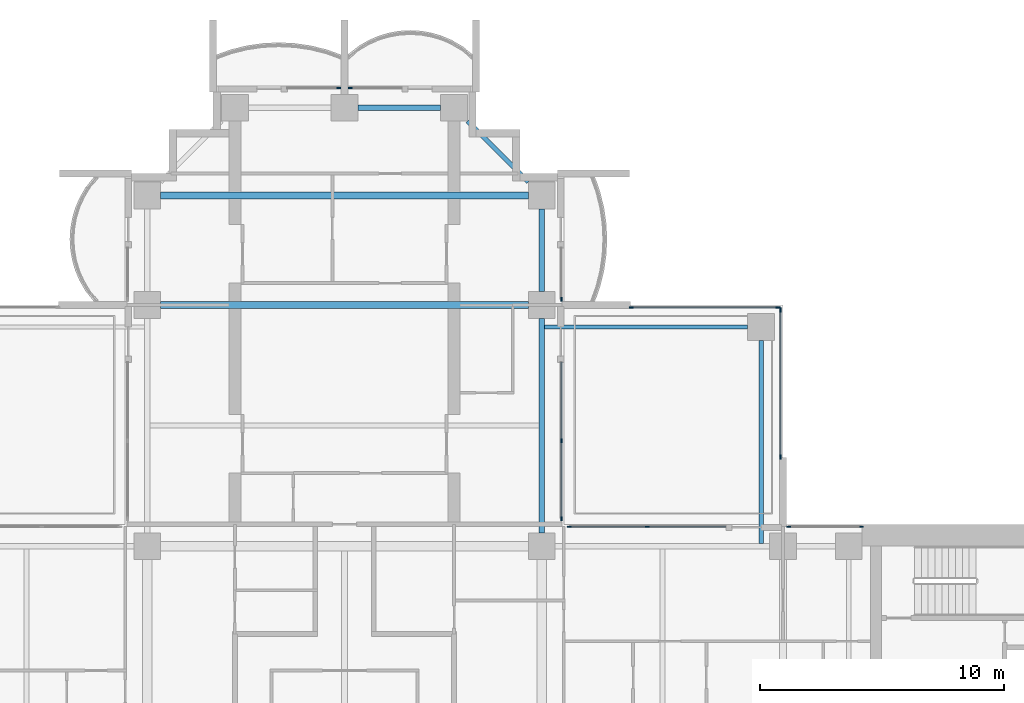
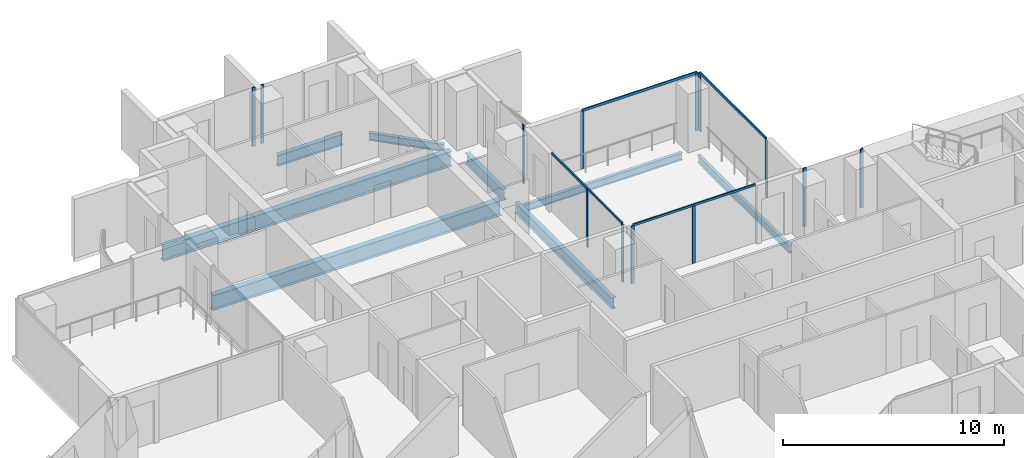
# One storey, part 6 of 18: 17 members, 8 beams, 8 elements without a shape of their own.
"""IFC4 building model written with IfcOpenShell, lengths in metres."""

from ifc_helpers import new_model, si_unit, direction, frame, origin, origin_2d, place, context, subcontext, project, spatial, rectangle, i_section, extrude, material, material_profile, profile_set, type_object, element, aggregate, save


model = new_model("IFC4")

# Units and contexts
model_context = context("Model", 3, precision=1e-05, world=origin(), true_north=direction((0.0, 1.0)))
body_context = subcontext(model_context, "Body", "Model", "MODEL_VIEW")
ifc_project = project(units=[si_unit("LENGTHUNIT", "METRE"), si_unit("AREAUNIT", "SQUARE_METRE"), si_unit("VOLUMEUNIT", "CUBIC_METRE"), si_unit("PLANEANGLEUNIT", "RADIAN"), si_unit("MASSUNIT", "GRAM", prefix="KILO")], contexts=[model_context])

# Site, building, storey
site_placement = place(None, origin())
site = spatial("IfcSite", under=ifc_project, at=site_placement, CompositionType="ELEMENT")
building_placement = place(site_placement, origin())
building = spatial("IfcBuilding", under=site, at=building_placement, Name="Perihelion Cross Residences", CompositionType="ELEMENT")
storey_placement = place(building_placement, frame((0.0, 0.0, 130.39990234375)))
storey = spatial("IfcBuildingStorey", under=building, at=storey_placement, Name="L31", CompositionType="ELEMENT", Elevation=130.39990234375)

# Curtain wall, members
ifc_material_1 = material(Name="Bronze anodised aluminium, tinted glazing", Category="aluminium")
curtain_wall_type_1 = type_object("IfcCurtainWallType", Name="CW1", PredefinedType="NOTDEFINED", material=ifc_material_1)
curtain_wall_1_placement = place(storey_placement, origin())
curtain_wall_1 = element("IfcCurtainWall", 1, at=curtain_wall_1_placement, inside=storey, type_object=curtain_wall_type_1, Name="Curtain wall CW1 L31 east side north bay 1", PredefinedType="NOTDEFINED")
ifc_material_2 = material(Name="Bronze anodised aluminium", Category="aluminium")
ifc_material_profile_1 = material_profile(ifc_material_2, rectangle(XDim=0.06005859375, YDim=0.159912109375, at=origin_2d()), Name="CW1 mullion")
ifc_profile_set_1 = profile_set([ifc_material_profile_1], Name="Bronze anodised aluminium")
member_type_1 = type_object("IfcMemberType", Name="CW1 mullion", PredefinedType="MULLION", material=ifc_profile_set_1)
member_1_placement = place(storey_placement, frame((21.219970703125, 8.89990234375, 0.0), z_axis=(0.0, 0.0, 1.0), x_axis=(0.0, -1.0, 0.0)))
member_1 = element("IfcMember", 2, at=member_1_placement, type_object=member_type_1, Name="CW1 mullion 1", PredefinedType="MULLION", context=body_context, shape_type="SweptSolid", body=[
    extrude(rectangle(XDim=0.06005859375, YDim=0.159912109375, at=origin_2d()), origin(), (0.0, 0.0, 1.0), 3.25),
])
member_2_placement = place(storey_placement, frame((18.22998046875, 8.89990234375, 0.0), z_axis=(0.0, 0.0, 1.0), x_axis=(0.0, -1.0, 0.0)))
member_2 = element("IfcMember", 3, at=member_2_placement, type_object=member_type_1, Name="CW1 mullion 2", PredefinedType="MULLION", context=body_context, shape_type="SweptSolid", body=[
    extrude(rectangle(XDim=0.06005859375, YDim=0.159912109375, at=origin_2d()), origin(), (0.0, 0.0, 1.0), 3.25),
])
aggregate(curtain_wall_1, [member_1, member_2])

curtain_wall_2_placement = place(storey_placement, origin())
curtain_wall_2 = element("IfcCurtainWall", 4, at=curtain_wall_2_placement, inside=storey, type_object=curtain_wall_type_1, Name="Curtain wall CW1 L31 east side north bay 2", PredefinedType="NOTDEFINED")
member_3_placement = place(storey_placement, frame((12.425048828125, 8.89990234375, 0.0), z_axis=(0.0, 0.0, 1.0), x_axis=(0.0, -1.0, 0.0)))
member_3 = element("IfcMember", 5, at=member_3_placement, type_object=member_type_1, Name="CW1 mullion 2", PredefinedType="MULLION", context=body_context, shape_type="SweptSolid", body=[
    extrude(rectangle(XDim=0.06005859375, YDim=0.159912109375, at=origin_2d()), origin(), (0.0, 0.0, 1.0), 3.190185546875),
])
member_4_placement = place(storey_placement, frame((9.22998046875, 8.89990234375, 0.0), z_axis=(0.0, 0.0, 1.0), x_axis=(0.0, -1.0, 0.0)))
member_4 = element("IfcMember", 6, at=member_4_placement, type_object=member_type_1, Name="CW1 mullion 3", PredefinedType="MULLION", context=body_context, shape_type="SweptSolid", body=[
    extrude(rectangle(XDim=0.06005859375, YDim=0.159912109375, at=origin_2d()), origin(), (0.0, 0.0, 1.0), 3.190185546875),
])

curtain_wall_3_placement = place(storey_placement, origin())
curtain_wall_3 = element("IfcCurtainWall", 7, at=curtain_wall_3_placement, inside=storey, type_object=curtain_wall_type_1, Name="Curtain wall CW1 L31 north side east bay 1", PredefinedType="NOTDEFINED")
member_5_placement = place(storey_placement, frame((8.89990234375, 9.22998046875, 0.0), z_axis=(0.0, 0.0, 1.0), x_axis=(-1.0, 0.0, 0.0)))
member_5 = element("IfcMember", 8, at=member_5_placement, type_object=member_type_1, Name="CW1 mullion 1", PredefinedType="MULLION", context=body_context, shape_type="SweptSolid", body=[
    extrude(rectangle(XDim=0.06005859375, YDim=0.159912109375, at=origin_2d()), origin(), (0.0, 0.0, 1.0), 3.190185546875),
])
member_6_placement = place(storey_placement, frame((8.89990234375, 12.425048828125, 0.0), z_axis=(0.0, 0.0, 1.0), x_axis=(-1.0, 0.0, 0.0)))
member_6 = element("IfcMember", 9, at=member_6_placement, type_object=member_type_1, Name="CW1 mullion 2", PredefinedType="MULLION", context=body_context, shape_type="SweptSolid", body=[
    extrude(rectangle(XDim=0.06005859375, YDim=0.159912109375, at=origin_2d()), origin(), (0.0, 0.0, 1.0), 3.190185546875),
])

# Curtain wall, member
curtain_wall_4_placement = place(storey_placement, origin())
curtain_wall_4 = element("IfcCurtainWall", 10, at=curtain_wall_4_placement, inside=storey, type_object=curtain_wall_type_1, Name="Curtain wall CW1 L31 north side east bay 2", PredefinedType="NOTDEFINED")
member_7_placement = place(storey_placement, frame((8.89990234375, 18.22998046875, 0.0), z_axis=(0.0, 0.0, 1.0), x_axis=(-1.0, 0.0, 0.0)))
member_7 = element("IfcMember", 11, at=member_7_placement, type_object=member_type_1, Name="CW1 mullion 1", PredefinedType="MULLION", context=body_context, shape_type="SweptSolid", body=[
    extrude(rectangle(XDim=0.06005859375, YDim=0.159912109375, at=origin_2d()), origin(), (0.0, 0.0, 1.0), 3.25),
])
aggregate(curtain_wall_4, [member_7])

curtain_wall_5_placement = place(storey_placement, origin())
curtain_wall_5 = element("IfcCurtainWall", 12, at=curtain_wall_5_placement, inside=storey, type_object=curtain_wall_type_1, Name="Curtain wall CW1 L31 north tip north bay 1", PredefinedType="NOTDEFINED")
member_8_placement = place(storey_placement, frame((0.22998046875, 26.89990234375, 0.0), z_axis=(0.0, 0.0, 1.0), x_axis=(0.0, -1.0, 0.0)))
member_8 = element("IfcMember", 13, at=member_8_placement, type_object=member_type_1, Name="CW1 mullion 2", PredefinedType="MULLION", context=body_context, shape_type="SweptSolid", body=[
    extrude(rectangle(XDim=0.06005859375, YDim=0.159912109375, at=origin_2d()), origin(), (0.0, 0.0, 1.0), 3.25),
])
aggregate(curtain_wall_5, [member_8])

curtain_wall_6_placement = place(storey_placement, origin())
curtain_wall_6 = element("IfcCurtainWall", 14, at=curtain_wall_6_placement, inside=storey, type_object=curtain_wall_type_1, Name="Curtain wall CW1 L31 north tip north bay 2", PredefinedType="NOTDEFINED")
member_9_placement = place(storey_placement, frame((-0.22998046875, 26.89990234375, 0.0), z_axis=(0.0, 0.0, 1.0), x_axis=(0.0, -1.0, 0.0)))
member_9 = element("IfcMember", 15, at=member_9_placement, type_object=member_type_1, Name="CW1 mullion 1", PredefinedType="MULLION", context=body_context, shape_type="SweptSolid", body=[
    extrude(rectangle(XDim=0.06005859375, YDim=0.159912109375, at=origin_2d()), origin(), (0.0, 0.0, 1.0), 3.25),
])
aggregate(curtain_wall_6, [member_9])

# Member
ifc_material_3 = material(Name="Bronze anodised aluminium", Category="aluminium")
ifc_material_profile_2 = material_profile(ifc_material_3, rectangle(XDim=0.06005859375, YDim=0.1201171875, at=origin_2d()), Name="CW1 transom")
ifc_profile_set_2 = profile_set([ifc_material_profile_2], Name="Bronze anodised aluminium")
member_type_2 = type_object("IfcMemberType", Name="CW1 transom", PredefinedType="USERDEFINED", material=ifc_profile_set_2)
member_10_placement = place(storey_placement, frame((15.64990234375, 8.89990234375, 3.22021484375), z_axis=(-1.0, 0.0, 0.0), x_axis=(0.0, -1.0, 0.0)))
member_10 = element("IfcMember", 16, at=member_10_placement, type_object=member_type_2, Name="CW1 head transom", ObjectType="TRANSOM", PredefinedType="USERDEFINED", context=body_context, shape_type="SweptSolid", body=[
    extrude(rectangle(XDim=0.06005859375, YDim=0.1201171875, at=origin_2d()), origin(), (0.0, 0.0, 1.0), 6.419921875),
])

aggregate(curtain_wall_2, [member_3, member_4, member_10])

member_11_placement = place(storey_placement, frame((8.89990234375, 9.22998046875, 3.22021484375), z_axis=(0.0, 1.0, 0.0), x_axis=(-1.0, 0.0, 0.0)))
member_11 = element("IfcMember", 17, at=member_11_placement, type_object=member_type_2, Name="CW1 head transom", ObjectType="TRANSOM", PredefinedType="USERDEFINED", context=body_context, shape_type="SweptSolid", body=[
    extrude(rectangle(XDim=0.06005859375, YDim=0.1201171875, at=origin_2d()), origin(), (0.0, 0.0, 1.0), 6.419921875),
])

aggregate(curtain_wall_3, [member_5, member_6, member_11])

# Curtain wall, members
ifc_material_4 = material(Name="Bronze anodised aluminium, tinted glazing", Category="aluminium")
curtain_wall_type_2 = type_object("IfcCurtainWallType", Name="CW4", PredefinedType="NOTDEFINED", material=ifc_material_4)
curtain_wall_7_placement = place(storey_placement, origin())
curtain_wall_7 = element("IfcCurtainWall", 18, at=curtain_wall_7_placement, inside=storey, type_object=curtain_wall_type_2, Name="Curtain wall CW4 L31 pocket north-east 1 1", PredefinedType="NOTDEFINED")
ifc_material_5 = material(Name="Bronze anodised aluminium", Category="aluminium")
ifc_material_profile_3 = material_profile(ifc_material_5, rectangle(XDim=0.06005859375, YDim=0.179931640625, at=origin_2d()), Name="CW4 mullion")
ifc_profile_set_3 = profile_set([ifc_material_profile_3], Name="Bronze anodised aluminium")
member_type_3 = type_object("IfcMemberType", Name="CW4 mullion", PredefinedType="MULLION", material=ifc_profile_set_3)
member_12_placement = place(storey_placement, frame((11.77001953125, 17.89990234375, 0.0), z_axis=(0.0, 0.0, 1.0), x_axis=(0.0, 1.0, 0.0)))
member_12 = element("IfcMember", 19, at=member_12_placement, type_object=member_type_3, Name="CW4 mullion 1", PredefinedType="MULLION", context=body_context, shape_type="SweptSolid", body=[
    extrude(rectangle(XDim=0.06005859375, YDim=0.179931640625, at=origin_2d()), origin(), (0.0, 0.0, 1.0), 3.190185546875),
])
member_13_placement = place(storey_placement, frame((17.800048828125, 17.89990234375, 0.0), z_axis=(0.0, 0.0, 1.0), x_axis=(0.0, 1.0, 0.0)))
member_13 = element("IfcMember", 20, at=member_13_placement, type_object=member_type_3, Name="CW4 mullion 2", PredefinedType="MULLION", context=body_context, shape_type="SweptSolid", body=[
    extrude(rectangle(XDim=0.06005859375, YDim=0.179931640625, at=origin_2d()), origin(), (0.0, 0.0, 1.0), 3.190185546875),
])

curtain_wall_8_placement = place(storey_placement, origin())
curtain_wall_8 = element("IfcCurtainWall", 21, at=curtain_wall_8_placement, inside=storey, type_object=curtain_wall_type_2, Name="Curtain wall CW4 L31 pocket north-east 1 2", PredefinedType="NOTDEFINED")
member_14_placement = place(storey_placement, frame((17.89990234375, 17.800048828125, 0.0), z_axis=(0.0, 0.0, 1.0), x_axis=(1.0, 0.0, 0.0)))
member_14 = element("IfcMember", 22, at=member_14_placement, type_object=member_type_3, Name="CW4 mullion 1", PredefinedType="MULLION", context=body_context, shape_type="SweptSolid", body=[
    extrude(rectangle(XDim=0.06005859375, YDim=0.179931640625, at=origin_2d()), origin(), (0.0, 0.0, 1.0), 3.190185546875),
])
member_15_placement = place(storey_placement, frame((17.89990234375, 11.77001953125, 0.0), z_axis=(0.0, 0.0, 1.0), x_axis=(1.0, 0.0, 0.0)))
member_15 = element("IfcMember", 23, at=member_15_placement, type_object=member_type_3, Name="CW4 mullion 2", PredefinedType="MULLION", context=body_context, shape_type="SweptSolid", body=[
    extrude(rectangle(XDim=0.06005859375, YDim=0.179931640625, at=origin_2d()), origin(), (0.0, 0.0, 1.0), 3.190185546875),
])

# Member
ifc_material_6 = material(Name="Bronze anodised aluminium", Category="aluminium")
ifc_material_profile_4 = material_profile(ifc_material_6, rectangle(XDim=0.06005859375, YDim=0.139892578125, at=origin_2d()), Name="CW4 transom")
ifc_profile_set_4 = profile_set([ifc_material_profile_4], Name="Bronze anodised aluminium")
member_type_4 = type_object("IfcMemberType", Name="CW4 transom", PredefinedType="USERDEFINED", material=ifc_profile_set_4)
member_16_placement = place(storey_placement, frame((11.77001953125, 17.89990234375, 3.22021484375), z_axis=(1.0, 0.0, 0.0), x_axis=(0.0, 1.0, 0.0)))
member_16 = element("IfcMember", 24, at=member_16_placement, type_object=member_type_4, Name="CW4 head transom", ObjectType="TRANSOM", PredefinedType="USERDEFINED", context=body_context, shape_type="SweptSolid", body=[
    extrude(rectangle(XDim=0.06005859375, YDim=0.139892578125, at=origin_2d()), origin(), (0.0, 0.0, 1.0), 6.030029296875),
])

aggregate(curtain_wall_7, [member_12, member_13, member_16])

member_17_placement = place(storey_placement, frame((17.89990234375, 17.800048828125, 3.22021484375), z_axis=(0.0, -1.0, 0.0), x_axis=(1.0, 0.0, 0.0)))
member_17 = element("IfcMember", 25, at=member_17_placement, type_object=member_type_4, Name="CW4 head transom", ObjectType="TRANSOM", PredefinedType="USERDEFINED", context=body_context, shape_type="SweptSolid", body=[
    extrude(rectangle(XDim=0.06005859375, YDim=0.139892578125, at=origin_2d()), origin(), (0.0, 0.0, 1.0), 6.030029296875),
])

aggregate(curtain_wall_8, [member_14, member_15, member_17])

# Beams
ifc_material_7 = material(Name="Steel S355", Category="steel")
ifc_material_profile_5 = material_profile(ifc_material_7, i_section(OverallWidth=0.177978515625, OverallDepth=0.406005859375, WebThickness=0.0078125, FlangeThickness=0.0126953125, at=origin_2d()), Name="W410x60")
ifc_profile_set_5 = profile_set([ifc_material_profile_5], Name="Steel S355")
beam_type_1 = type_object("IfcBeamType", Name="Core edge beam W410x60", PredefinedType="BEAM", material=ifc_profile_set_5)
for number, where, z_axis, x_axis, name in (
    (26, (17.10009765625, 8.214599609375, -0.452880859375), (0.0, 1.0, 0.0), (-1.0, 0.0, 0.0), "Core edge beam TB2 L31 corner no. 7"),
    (27, (8.214599609375, 17.10009765625, -0.452880859375), (1.0, 0.0, 0.0), (0.0, 1.0, 0.0), "Core edge beam TB2 L31 corner no. 8"),
):
    element("IfcBeam", number, at=place(storey_placement, frame(where, z_axis=z_axis, x_axis=x_axis)), inside=storey, type_object=beam_type_1, Name=name, PredefinedType="BEAM", context=body_context, shape_type="SweptSolid", body=[
        extrude(i_section(OverallWidth=0.177978515625, OverallDepth=0.406005859375, WebThickness=0.0078125, FlangeThickness=0.0126953125, at=origin_2d()), origin(), (0.0, 0.0, 1.0), 8.33544921875),
    ])
ifc_material_8 = material(Name="Steel S355", Category="steel")
ifc_material_profile_6 = material_profile(ifc_material_8, i_section(OverallWidth=0.22900390625, OverallDepth=0.612060546875, WebThickness=0.011962890625, FlangeThickness=0.01953125, at=origin_2d()), Name="W610x125")
ifc_profile_set_6 = profile_set([ifc_material_profile_6], Name="Steel S355")
beam_type_2 = type_object("IfcBeamType", Name="Edge beam W610x125", PredefinedType="SPANDREL", material=ifc_profile_set_6)
beam_1_placement = place(storey_placement, frame((8.10009765625, 8.64990234375, -0.555908203125), z_axis=(0.0, 1.0, 0.0), x_axis=(-1.0, 0.0, 0.0)))
element("IfcBeam", 28, at=beam_1_placement, inside=storey, type_object=beam_type_2, Name="Edge beam SB3 L31 no. 18", PredefinedType="SPANDREL", context=body_context, shape_type="SweptSolid", body=[
    extrude(i_section(OverallWidth=0.22900390625, OverallDepth=0.612060546875, WebThickness=0.011962890625, FlangeThickness=0.01953125, at=origin_2d()), origin(), (0.0, 0.0, 1.0), 8.800048828125),
])
for number, where, z_axis, x_axis, name in (
    (29, (8.10009765625, 18.550048828125, -0.555908203125), (0.0, 1.0, 0.0), (-1.0, 0.0, 0.0), "Edge beam SB3 L31 no. 17"),
    (30, (3.949951171875, 26.10009765625, -0.555908203125), (-1.0, 0.0, 0.0), (0.0, -1.0, 0.0), "Edge beam SB3 L31 no. 14"),
):
    element("IfcBeam", number, at=place(storey_placement, frame(where, z_axis=z_axis, x_axis=x_axis)), inside=storey, type_object=beam_type_2, Name=name, PredefinedType="SPANDREL", context=body_context, shape_type="SweptSolid", body=[
        extrude(i_section(OverallWidth=0.22900390625, OverallDepth=0.612060546875, WebThickness=0.011962890625, FlangeThickness=0.01953125, at=origin_2d()), origin(), (0.0, 0.0, 1.0), 3.39990234375),
    ])
ifc_material_9 = material(Name="Steel S355", Category="steel")
ifc_material_profile_7 = material_profile(ifc_material_9, i_section(OverallWidth=0.2919921875, OverallDepth=0.8359375, WebThickness=0.013916015625, FlangeThickness=0.018798828125, at=origin_2d()), Name="W840x176")
ifc_profile_set_7 = profile_set([ifc_material_profile_7], Name="Steel S355")
beam_type_3 = type_object("IfcBeamType", Name="Floor girder W840x176", PredefinedType="BEAM", material=ifc_profile_set_7)
for number, where, z_axis, x_axis, name in (
    (31, (-7.550048828125, 18.0, -0.66796875), (1.0, 0.0, 0.0), (0.0, 1.0, 0.0), "Girder G3 L31 no. 4"),
    (32, (-7.550048828125, 22.5, -0.66796875), (1.0, 0.0, 0.0), (0.0, 1.0, 0.0), "Girder G3 L31 no. 5"),
):
    element("IfcBeam", number, at=place(storey_placement, frame(where, z_axis=z_axis, x_axis=x_axis)), inside=storey, type_object=beam_type_3, Name=name, PredefinedType="BEAM", context=body_context, shape_type="SweptSolid", body=[
        extrude(i_section(OverallWidth=0.2919921875, OverallDepth=0.8359375, WebThickness=0.013916015625, FlangeThickness=0.018798828125, at=origin_2d()), origin(), (0.0, 0.0, 1.0), 15.10009765625),
    ])
ifc_material_10 = material(Name="Steel S355", Category="steel")
ifc_material_profile_8 = material_profile(ifc_material_10, i_section(OverallWidth=0.180908203125, OverallDepth=0.4169921875, WebThickness=0.010986328125, FlangeThickness=0.018310546875, at=origin_2d()), Name="W410x85")
ifc_profile_set_8 = profile_set([ifc_material_profile_8], Name="Steel S355")
beam_type_4 = type_object("IfcBeamType", Name="Serration edge beam W410x85", PredefinedType="BEAM", material=ifc_profile_set_8)
beam_2_placement = place(storey_placement, frame((7.550048828125, 23.050048828125, -0.45849609375), z_axis=(-0.707106781187, 0.707106781187, 0.0), x_axis=(-0.707106781187, -0.707106781187, 0.0)))
element("IfcBeam", 33, at=beam_2_placement, inside=storey, type_object=beam_type_4, Name="Serration edge beam EB3 L31 no. 4", PredefinedType="BEAM", context=body_context, shape_type="SweptSolid", body=[
    extrude(i_section(OverallWidth=0.180908203125, OverallDepth=0.4169921875, WebThickness=0.010986328125, FlangeThickness=0.018310546875, at=origin_2d()), origin(), (0.0, 0.0, 1.0), 3.53564453125),
])

save(model, "model.ifc")
